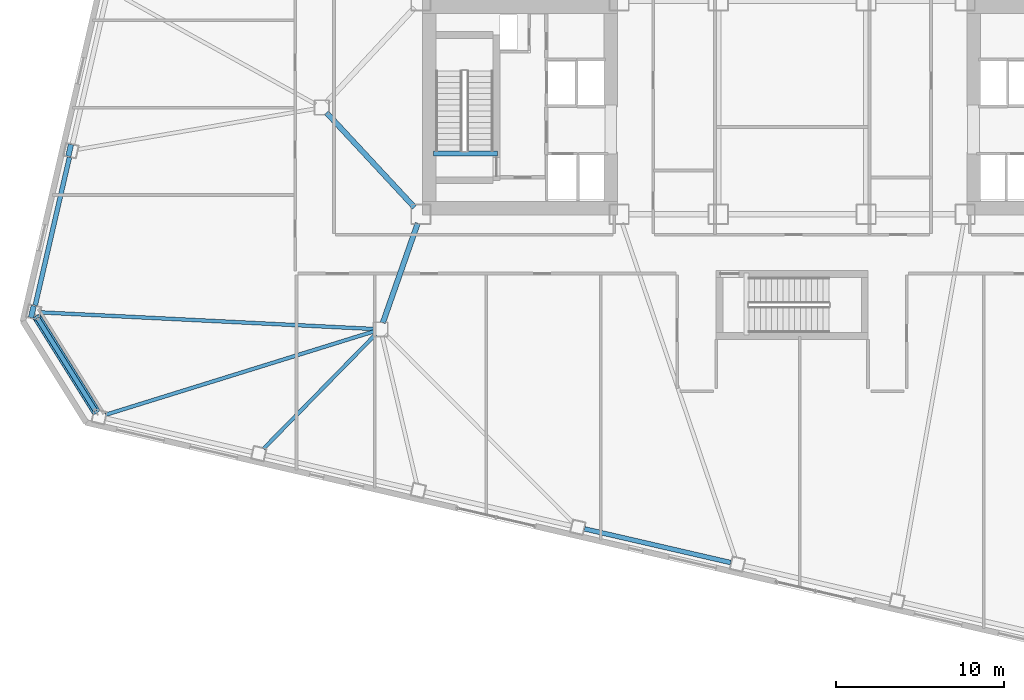
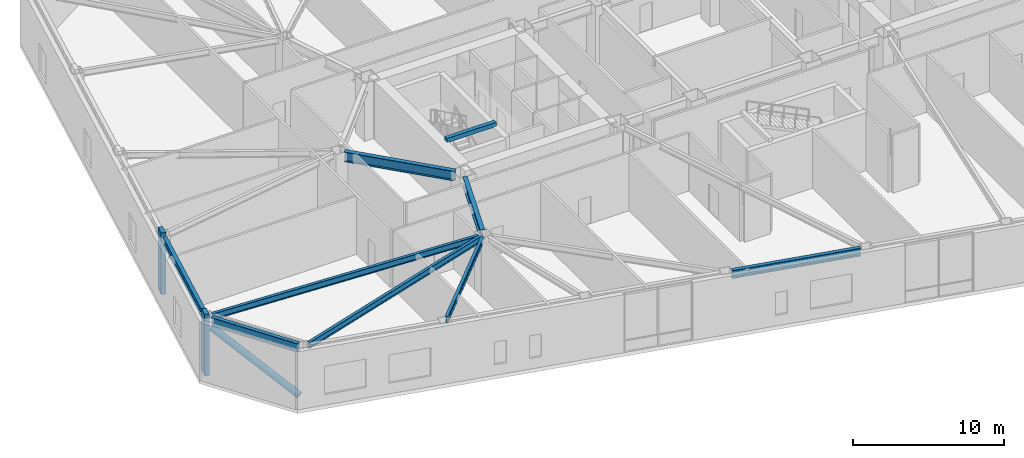
# One storey, part 3 of 20: 9 beams, 3 members.
"""IFC4 building model written with IfcOpenShell, lengths in metres."""

from ifc_helpers import new_model, si_unit, direction, frame, origin, origin_2d, place, context, subcontext, project, spatial, rectangle, hollow_circle, i_section, extrude, material, material_profile, profile_set, type_object, element, save


model = new_model("IFC4")

# Units and contexts
model_context = context("Model", 3, precision=1e-05, world=origin(), true_north=direction((0.0, 1.0)))
body_context = subcontext(model_context, "Body", "Model", "MODEL_VIEW")
ifc_project = project(units=[si_unit("LENGTHUNIT", "METRE"), si_unit("AREAUNIT", "SQUARE_METRE"), si_unit("VOLUMEUNIT", "CUBIC_METRE"), si_unit("PLANEANGLEUNIT", "RADIAN"), si_unit("MASSUNIT", "GRAM", prefix="KILO")], contexts=[model_context])

# Site, building, storey
site_placement = place(None, origin())
site = spatial("IfcSite", under=ifc_project, at=site_placement, CompositionType="ELEMENT")
building_placement = place(site_placement, origin())
building = spatial("IfcBuilding", under=site, at=building_placement, Name="Tavrogorsk Clinical Tower", CompositionType="ELEMENT")
storey_placement = place(building_placement, frame((0.0, 0.0, 23.39990234375)))
storey = spatial("IfcBuildingStorey", under=building, at=storey_placement, Name="L04", CompositionType="ELEMENT", Elevation=23.39990234375)

# Member
ifc_material_1 = material(Name="Structural steel S440", Category="steel")
ifc_material_profile_1 = material_profile(ifc_material_1, hollow_circle(Radius=0.25390625, WallThickness=0.02001953125, at=origin_2d()), Name="CHS-508x20")
ifc_profile_set_1 = profile_set([ifc_material_profile_1], Name="Structural steel S440")
member_type_1 = type_object("IfcMemberType", Name="ExoBrace_CHS508", PredefinedType="BRACE", material=ifc_profile_set_1)
member_placement = place(storey_placement, frame((-41.4443359375, -18.096923828125, 0.4833984375), z_axis=(-0.473378094772, 0.757569547634, 0.449445836434), x_axis=(-0.848050056862, -0.529916126436, 0.0)))
element("IfcMember", 1, at=member_placement, inside=storey, type_object=member_type_1, Name="L04 Corner Exoskeleton Brace W5-S1", PredefinedType="BRACE", context=body_context, shape_type="SweptSolid", body=[
    extrude(hollow_circle(Radius=0.25390625, WallThickness=0.02001953125, at=origin_2d()), origin(), (0.0, 0.0, 1.0), 7.416259765625),
])

# Beams
ifc_material_2 = material(Name="Structural steel S355", Category="steel")
ifc_material_profile_2 = material_profile(ifc_material_2, i_section(OverallWidth=0.219970703125, OverallDepth=0.5, WebThickness=0.012939453125, FlangeThickness=0.02001953125, at=origin_2d()), Name="B-500x220x13x20")
ifc_profile_set_2 = profile_set([ifc_material_profile_2], Name="Structural steel S355")
beam_type_1 = type_object("IfcBeamType", Name="FloorBeam_B500", PredefinedType="BEAM", material=ifc_profile_set_2)
beam_1_placement = place(storey_placement, frame((-24.8916015625, -13.32177734375, 4.4501953125), z_axis=(-0.954946638684, -0.296777555193, 0.0), x_axis=(0.296777555193, -0.954946638684, 0.0)))
element("IfcBeam", 2, at=beam_1_placement, inside=storey, type_object=beam_type_1, Name="L04 Radial Floor Beam S1", PredefinedType="BEAM", context=body_context, shape_type="SweptSolid", body=[
    extrude(i_section(OverallWidth=0.219970703125, OverallDepth=0.5, WebThickness=0.012939453125, FlangeThickness=0.02001953125, at=origin_2d()), origin(), (0.0, 0.0, 1.0), 16.723388671875),
])
beam_2_placement = place(storey_placement, frame((-24.787109375, -13.492919921875, 4.4501953125), z_axis=(-0.699997226081, -0.714145561828, 0.0), x_axis=(0.714145561828, -0.699997226081, 0.0)))
element("IfcBeam", 3, at=beam_2_placement, inside=storey, type_object=beam_type_1, Name="L04 Radial Floor Beam S2", PredefinedType="BEAM", context=body_context, shape_type="SweptSolid", body=[
    extrude(i_section(OverallWidth=0.219970703125, OverallDepth=0.5, WebThickness=0.012939453125, FlangeThickness=0.02001953125, at=origin_2d()), origin(), (0.0, 0.0, 1.0), 9.54248046875),
])
beam_3_placement = place(storey_placement, frame((-24.909423828125, -13.179443359375, 4.4501953125), z_axis=(-0.998757515428, 0.049833978136, 0.0), x_axis=(-0.049833978136, -0.998757515428, 0.0)))
element("IfcBeam", 4, at=beam_3_placement, inside=storey, type_object=beam_type_1, Name="L04 Radial Floor Beam W5", PredefinedType="BEAM", context=body_context, shape_type="SweptSolid", body=[
    extrude(i_section(OverallWidth=0.219970703125, OverallDepth=0.5, WebThickness=0.012939453125, FlangeThickness=0.02001953125, at=origin_2d()), origin(), (0.0, 0.0, 1.0), 19.85595703125),
])

# Members
ifc_material_3 = material(Name="Precast concrete B45 with limestone cladding", Category="masonry")
ifc_material_profile_3 = material_profile(ifc_material_3, rectangle(XDim=0.320068359375, YDim=0.719970703125, at=origin_2d()), Name="LIMESTONE-FIN-320x720")
ifc_profile_set_3 = profile_set([ifc_material_profile_3], Name="Precast concrete B45 with limestone cladding")
member_type_2 = type_object("IfcMemberType", Name="LimestonePleatFin_320x720", PredefinedType="USERDEFINED", material=ifc_profile_set_3)
for number, where, z_axis, x_axis, name in (
    (5, (-43.008056640625, -2.544189453125, 0.0), (0.0, 0.0, 1.0), (0.974370064785, -0.224951054344, 0.0), "L04 W Pleated Stone Fin 3"),
    (6, (-45.226318359375, -12.151611328125, 0.0), (0.0, 0.0, 1.0), (0.974370064785, -0.224951054344, 0.0), "L04 W Pleated Stone Fin 4"),
):
    element("IfcMember", number, at=place(storey_placement, frame(where, z_axis=z_axis, x_axis=x_axis)), inside=storey, type_object=member_type_2, Name=name, ObjectType="FIN", PredefinedType="USERDEFINED", context=body_context, shape_type="SweptSolid", body=[
        extrude(rectangle(XDim=0.320068359375, YDim=0.719970703125, at=origin_2d()), origin(), (0.0, 0.0, 1.0), 5.0),
    ])

# Beams
ifc_material_4 = material(Name="Structural steel S390", Category="steel")
ifc_material_profile_4 = material_profile(ifc_material_4, i_section(OverallWidth=0.320068359375, OverallDepth=0.800048828125, WebThickness=0.02001953125, FlangeThickness=0.033935546875, at=origin_2d()), Name="B-800x320x20x34")
ifc_profile_set_4 = profile_set([ifc_material_profile_4], Name="Structural steel S390")
beam_type_2 = type_object("IfcBeamType", Name="PrimaryGirder_B800", PredefinedType="USERDEFINED", material=ifc_profile_set_4)
beam_4_placement = place(storey_placement, frame((-24.364501953125, -12.81298828125, 4.300048828125), z_axis=(0.330668611543, 0.943746930771, 0.0), x_axis=(-0.943746930771, 0.330668611543, 0.0)))
element("IfcBeam", 7, at=beam_4_placement, inside=storey, type_object=beam_type_2, Name="L04 Spine Link Girder OPG-1", ObjectType="GIRDER", PredefinedType="USERDEFINED", context=body_context, shape_type="SweptSolid", body=[
    extrude(i_section(OverallWidth=0.320068359375, OverallDepth=0.800048828125, WebThickness=0.02001953125, FlangeThickness=0.033935546875, at=origin_2d()), origin(), (0.0, 0.0, 1.0), 6.288330078125),
])
beam_5_placement = place(storey_placement, frame((-27.720947265625, -0.30029296875, 4.300048828125), z_axis=(0.680671250221, -0.732589004233, 0.0), x_axis=(0.732589004233, 0.680671250221, 0.0)))
element("IfcBeam", 8, at=beam_5_placement, inside=storey, type_object=beam_type_2, Name="L04 Spine Link Girder OPG-5", ObjectType="GIRDER", PredefinedType="USERDEFINED", context=body_context, shape_type="SweptSolid", body=[
    extrude(i_section(OverallWidth=0.320068359375, OverallDepth=0.800048828125, WebThickness=0.02001953125, FlangeThickness=0.033935546875, at=origin_2d()), origin(), (0.0, 0.0, 1.0), 7.697998046875),
])
ifc_material_5 = material(Name="Structural steel S390", Category="steel")
ifc_material_profile_5 = material_profile(ifc_material_5, i_section(OverallWidth=0.280029296875, OverallDepth=0.64990234375, WebThickness=0.01611328125, FlangeThickness=0.02490234375, at=origin_2d()), Name="B-650x280x16x25")
ifc_profile_set_5 = profile_set([ifc_material_profile_5], Name="Structural steel S390")
beam_type_3 = type_object("IfcBeamType", Name="SpandrelBeam_B650", PredefinedType="SPANDREL", material=ifc_profile_set_5)
beam_6_placement = place(storey_placement, frame((-12.357666015625, -25.07666015625, 4.375), z_axis=(0.974372766602, -0.224939351168, 0.0), x_axis=(0.224939351168, 0.974372766602, 0.0)))
element("IfcBeam", 9, at=beam_6_placement, inside=storey, type_object=beam_type_3, Name="L04 Perimeter Spandrel S4-S5", PredefinedType="SPANDREL", context=body_context, shape_type="SweptSolid", body=[
    extrude(i_section(OverallWidth=0.280029296875, OverallDepth=0.64990234375, WebThickness=0.01611328125, FlangeThickness=0.02490234375, at=origin_2d()), origin(), (0.0, 0.0, 1.0), 8.9326171875),
])
beam_7_placement = place(storey_placement, frame((-43.02197265625, -2.959716796875, 4.375), z_axis=(-0.224971881043, -0.974365256328, 0.0), x_axis=(0.974365256328, -0.224971881043, 0.0)))
element("IfcBeam", 10, at=beam_7_placement, inside=storey, type_object=beam_type_3, Name="L04 Perimeter Spandrel W4-W5", PredefinedType="SPANDREL", context=body_context, shape_type="SweptSolid", body=[
    extrude(i_section(OverallWidth=0.280029296875, OverallDepth=0.64990234375, WebThickness=0.01611328125, FlangeThickness=0.02490234375, at=origin_2d()), origin(), (0.0, 0.0, 1.0), 9.044189453125),
])
beam_8_placement = place(storey_placement, frame((-44.93212890625, -12.515380859375, 4.375), z_axis=(0.529908311255, -0.848054940238, 0.0), x_axis=(0.848054940238, 0.529908311255, 0.0)))
element("IfcBeam", 11, at=beam_8_placement, inside=storey, type_object=beam_type_3, Name="L04 Perimeter Spandrel W5-S1", PredefinedType="SPANDREL", context=body_context, shape_type="SweptSolid", body=[
    extrude(i_section(OverallWidth=0.280029296875, OverallDepth=0.64990234375, WebThickness=0.01611328125, FlangeThickness=0.02490234375, at=origin_2d()), origin(), (0.0, 0.0, 1.0), 6.5380859375),
])
ifc_material_6 = material(Name="Concrete B60", Category="concrete")
ifc_material_profile_6 = material_profile(ifc_material_6, rectangle(XDim=0.300048828125, YDim=0.35009765625, at=origin_2d()), Name="RC-SHB-300x350")
ifc_profile_set_6 = profile_set([ifc_material_profile_6], Name="Concrete B60")
beam_type_4 = type_object("IfcBeamType", Name="StairHeaderBeam_RC300x350", PredefinedType="BEAM", material=ifc_profile_set_6)
beam_9_placement = place(storey_placement, frame((-21.35009765625, -2.719970703125, 4.8251953125), z_axis=(1.0, 0.0, 0.0), x_axis=(0.0, 1.0, 0.0)))
element("IfcBeam", 12, at=beam_9_placement, inside=storey, type_object=beam_type_4, Name="L05 ST-W Landing Header Beam", PredefinedType="BEAM", context=body_context, shape_type="SweptSolid", body=[
    extrude(rectangle(XDim=0.300048828125, YDim=0.35009765625, at=origin_2d()), origin(), (0.0, 0.0, 1.0), 3.800048828125),
])

save(model, "model.ifc")
